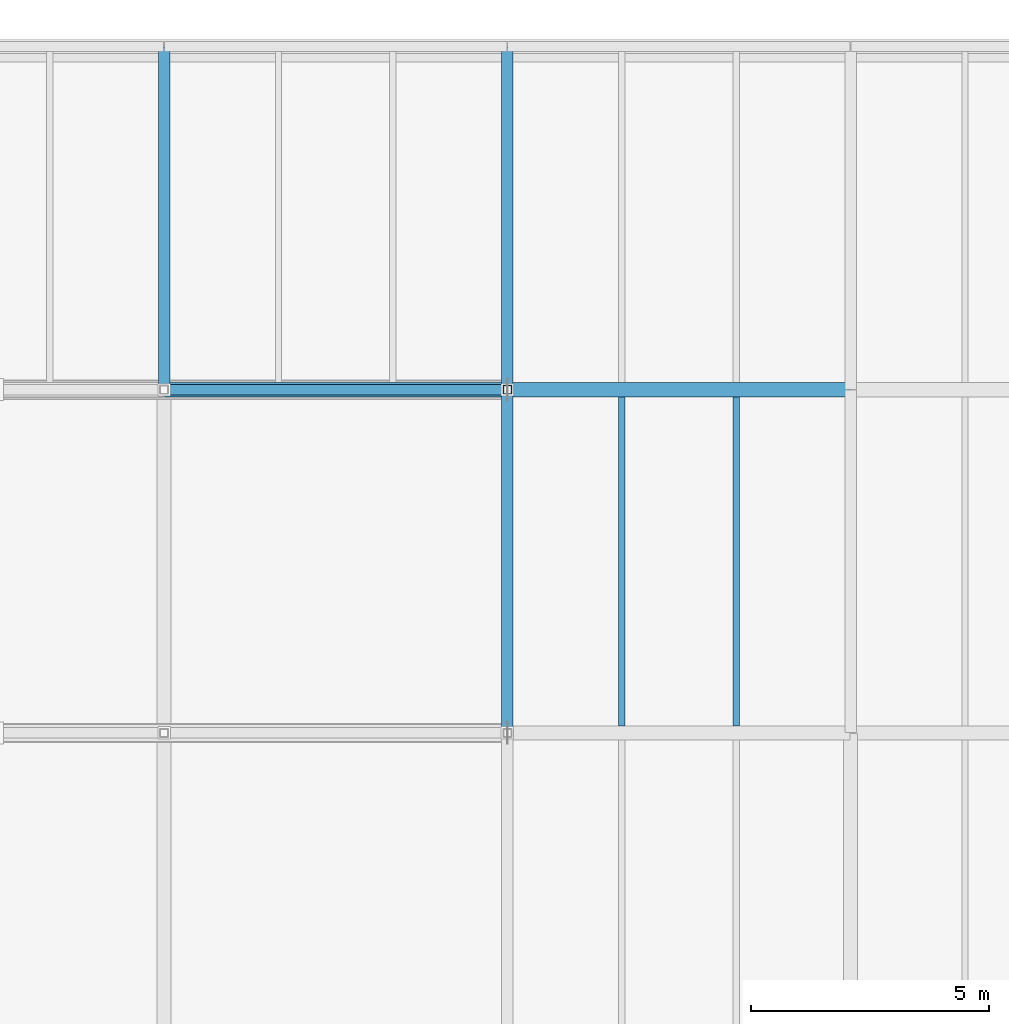
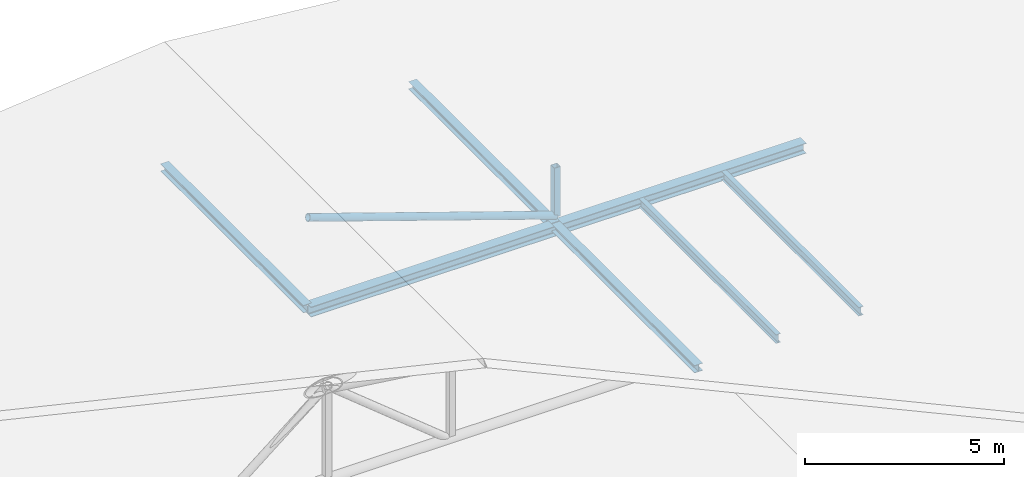
# One storey, part 35 of 91: 7 beams, 2 members.
"""IFC4 building model written with IfcOpenShell, lengths in metres."""

import ifcopenshell
import ifcopenshell.guid

model = None  # the IFC model being written
_history = None  # IfcOwnerHistory: only IFC2X3 demands one
_inside = {}  # id of a spatial element -> (the spatial element, [elements in it])
_under = {}  # id of a project, library or spatial element -> (it, [spatial elements below it])
_declared = {}  # id of a project -> (the project, [libraries it declares])
_typed = {}  # id of a type object -> (the type object, [elements of that type])
_made_of = {}  # id of a material, layer set ... -> (it, [elements and type objects made of it])


def new_model(schema):
    """Start an empty IFC model of exactly this schema.

    Asked for "IFC4X3", IfcOpenShell would pick the latest addendum, in which some entities
    have other attributes; the version numbers below select the first issue.
    IFC2X3 requires an IfcOwnerHistory on every rooted entity: one is made here for all.
    """
    global model, _history
    if schema == "IFC4X3":
        model = ifcopenshell.file(schema_version=(4, 3, 0, 0))
    else:
        model = ifcopenshell.file(schema=schema)
    _inside.clear()
    _under.clear()
    _declared.clear()
    _typed.clear()
    _made_of.clear()
    _history = None
    if model.schema == "IFC2X3":
        org = make("IfcOrganization", Name="unknown")
        user = make(
            "IfcPersonAndOrganization",
            ThePerson=make("IfcPerson", FamilyName="unknown"),
            TheOrganization=org,
        )
        app = make(
            "IfcApplication",
            ApplicationDeveloper=org,
            Version="unknown",
            ApplicationFullName="unknown",
            ApplicationIdentifier="unknown",
        )
        _history = make(
            "IfcOwnerHistory",
            OwningUser=user,
            OwningApplication=app,
            ChangeAction="ADDED",
            CreationDate=0,
        )
    return model


def make(cls, **values):
    """One entity of the class cls with the attributes given. An attribute that is None is left unset."""
    return model.create_entity(
        cls, **{name: value for name, value in values.items() if value is not None}
    )


def rooted(cls, **values):
    """An entity with a GlobalId (a new one), such as an element, a storey or a relation."""
    return make(cls, GlobalId=ifcopenshell.guid.new(), OwnerHistory=_history, **values)


def si_unit(unit_type, name, prefix=None):
    """IfcSIUnit, for example si_unit("LENGTHUNIT", "METRE", prefix="MILLI")."""
    return make("IfcSIUnit", UnitType=unit_type, Prefix=prefix, Name=name)


def assignment(units):
    """IfcUnitAssignment: the units of a project."""
    return None if units is None else make("IfcUnitAssignment", Units=units)


def point(xyz):
    """IfcCartesianPoint."""
    return None if xyz is None else make("IfcCartesianPoint", Coordinates=xyz)


def direction(xyz):
    """IfcDirection."""
    return None if xyz is None else make("IfcDirection", DirectionRatios=xyz)


def frame(location, z_axis=None, x_axis=None):
    """IfcAxis2Placement3D, a coordinate frame: its origin and axes. An axis left out is left unset."""
    return make(
        "IfcAxis2Placement3D",
        Location=point(location),
        Axis=direction(z_axis),
        RefDirection=direction(x_axis),
    )


def frame_2d(location, x_axis=None):
    """IfcAxis2Placement2D, a coordinate frame in the plane: its origin and x axis."""
    return make(
        "IfcAxis2Placement2D", Location=point(location), RefDirection=direction(x_axis)
    )


def origin():
    """The frame at (0, 0, 0) with its axes left unset."""
    return frame((0.0, 0.0, 0.0))


def origin_2d():
    """The frame at (0, 0) in the plane with its x axis left unset."""
    return frame_2d((0.0, 0.0))


def place(relative_to, where):
    """IfcLocalPlacement: puts the frame where relative to a parent placement (None: the world)."""
    return make(
        "IfcLocalPlacement", PlacementRelTo=relative_to, RelativePlacement=where
    )


def context(
    kind, dimensions, precision=None, world=None, true_north=None, identifier=None
):
    """IfcGeometricRepresentationContext, for example the 3D "Model" context."""
    return make(
        "IfcGeometricRepresentationContext",
        ContextIdentifier=identifier,
        ContextType=kind,
        CoordinateSpaceDimension=dimensions,
        Precision=precision,
        WorldCoordinateSystem=world,
        TrueNorth=true_north,
    )


def subcontext(parent, identifier, kind, view, scale=None):
    """IfcGeometricRepresentationSubContext, for example "Body" below "Model"."""
    return make(
        "IfcGeometricRepresentationSubContext",
        ContextIdentifier=identifier,
        ContextType=kind,
        ParentContext=parent,
        TargetScale=scale,
        TargetView=view,
    )


def project(units=None, contexts=None):
    """IfcProject with its units and contexts."""
    return rooted(
        "IfcProject",
        Name="project",
        RepresentationContexts=contexts,
        UnitsInContext=assignment(units),
    )


def spatial(cls, under=None, at=None, **own):
    """A site, building, storey or space (cls), placed at a placement, below another one or the project."""
    s = rooted(cls, ObjectPlacement=at, **own)
    if under is not None:
        _under.setdefault(under.id(), (under, []))[1].append(s)
    return s


def profile(cls, at=None, kind="AREA", **sizes):
    """A parametric profile (cls). Its sizes go by their IFC names, for example OverallWidth=200.0."""
    return make(cls, ProfileType=kind, Position=at, **sizes)


def hollow_rectangle(**sizes):
    """IfcRectangleHollowProfileDef."""
    return profile("IfcRectangleHollowProfileDef", **sizes)


def hollow_circle(**sizes):
    """IfcCircleHollowProfileDef."""
    return profile("IfcCircleHollowProfileDef", **sizes)


def i_section(**sizes):
    """IfcIShapeProfileDef."""
    return profile("IfcIShapeProfileDef", **sizes)


def extrude(swept, where, along, depth):
    """IfcExtrudedAreaSolid: the profile swept, set in the frame where, extruded along a direction by depth."""
    return make(
        "IfcExtrudedAreaSolid",
        SweptArea=swept,
        Position=where,
        ExtrudedDirection=direction(along),
        Depth=depth,
    )


def shape(context_of_items, identifier, shape_type, items):
    """IfcShapeRepresentation: the items that make up one representation, for example the "Body"."""
    return make(
        "IfcShapeRepresentation",
        ContextOfItems=context_of_items,
        RepresentationIdentifier=identifier,
        RepresentationType=shape_type,
        Items=items,
    )


def material(Name=None, Category=None):
    """IfcMaterial."""
    return make("IfcMaterial", Name=Name, Category=Category)


def material_profile(
    of_material, cross_section, Name=None, Category=None, Priority=None
):
    """IfcMaterialProfile: a cross section and its material."""
    return make(
        "IfcMaterialProfile",
        Name=Name,
        Material=of_material,
        Profile=cross_section,
        Priority=Priority,
        Category=Category,
    )


def profile_set(profiles, Name=None, composite=None):
    """IfcMaterialProfileSet."""
    return make(
        "IfcMaterialProfileSet",
        Name=Name,
        MaterialProfiles=profiles,
        CompositeProfile=composite,
    )


def made_of(thing, what):
    """Note that an element or type object is made of a material, layer set ...; save() writes the relation."""
    if what is not None:
        _made_of.setdefault(what.id(), (what, []))[1].append(thing)
    return thing


def type_object(cls, material=None, **own):
    """A type object (cls), such as IfcWallType, which elements share."""
    return made_of(rooted(cls, **own), material)


def element(
    cls,
    number,
    at=None,
    inside=None,
    cuts=None,
    type_object=None,
    material=None,
    context=None,
    identifier="Body",
    shape_type=None,
    held_by="IfcProductDefinitionShape",
    body=None,
    shapes=None,
    **own,
):
    """One element of the class cls, such as IfcWall. Its Tag is "e" and its number.

    at: its placement. inside: the storey or other place that contains it. cuts: it is an
    opening in that element (IfcRelVoidsElement). A single representation is given by context,
    identifier, shape_type and body (its items); several are given by shapes. held_by: the class
    of the entity that holds the representations. save() writes the other relations.
    """
    e = rooted(cls, Tag="e%d" % number, ObjectPlacement=at, **own)
    if body is not None:
        shapes = [shape(context, identifier, shape_type, body)]
    if shapes is not None:
        e.Representation = make(held_by, Representations=shapes)
    if inside is not None:
        _inside.setdefault(inside.id(), (inside, []))[1].append(e)
    if cuts is not None:
        rooted(
            "IfcRelVoidsElement", RelatingBuildingElement=cuts, RelatedOpeningElement=e
        )
    if type_object is not None:
        _typed.setdefault(type_object.id(), (type_object, []))[1].append(e)
    return made_of(e, material)


def aggregate(whole, parts):
    """IfcRelAggregates: a whole, such as a stair, and the parts it consists of."""
    return rooted("IfcRelAggregates", RelatingObject=whole, RelatedObjects=parts)


def save(model, path):
    """Write the relations noted so far, then the file.

    IfcRelAggregates (storeys below a building ...), IfcRelContainedInSpatialStructure (elements
    in a storey), IfcRelDefinesByType, IfcRelAssociatesMaterial and IfcRelDeclares: one each for
    every whole, place, type object, material and project.
    """
    for whole, parts in _under.values():
        aggregate(whole, parts)
    for where, things in _inside.values():
        rooted(
            "IfcRelContainedInSpatialStructure",
            RelatedElements=things,
            RelatingStructure=where,
        )
    for kind, things in _typed.values():
        rooted("IfcRelDefinesByType", RelatedObjects=things, RelatingType=kind)
    for what, things in _made_of.values():
        rooted("IfcRelAssociatesMaterial", RelatedObjects=things, RelatingMaterial=what)
    for by, libraries in _declared.values():
        rooted("IfcRelDeclares", RelatingContext=by, RelatedDefinitions=libraries)
    model.write(path)


model = new_model("IFC4")

# Units and contexts
model_context = context("Model", 3, precision=1e-05, world=origin(), true_north=direction((0.0, 1.0)))
body_context = subcontext(model_context, "Body", "Model", "MODEL_VIEW")
ifc_project = project(units=[si_unit("LENGTHUNIT", "METRE"), si_unit("AREAUNIT", "SQUARE_METRE"), si_unit("VOLUMEUNIT", "CUBIC_METRE"), si_unit("PLANEANGLEUNIT", "RADIAN"), si_unit("MASSUNIT", "GRAM", prefix="KILO")], contexts=[model_context])

# Site, building, storey
site_placement = place(None, origin())
site = spatial("IfcSite", under=ifc_project, at=site_placement, CompositionType="ELEMENT")
building_placement = place(site_placement, origin())
building = spatial("IfcBuilding", under=site, at=building_placement, Name="Narikvali Park Central Library", CompositionType="ELEMENT")
storey_placement = place(building_placement, frame((0.0, 0.0, 14.39990234375)))
storey = spatial("IfcBuildingStorey", under=building, at=storey_placement, Name="L03", CompositionType="ELEMENT", Elevation=14.39990234375)

# Members
ifc_material = material(Name="Steel S355", Category="steel")
ifc_material_profile_1 = material_profile(ifc_material, hollow_circle(Radius=0.109619140625, WallThickness=0.012451171875, at=origin_2d()), Name="CHS 219.1x12.5")
ifc_profile_set_1 = profile_set([ifc_material_profile_1], Name="Steel S355")
member_type_1 = type_object("IfcMemberType", Name="Auditorium End Truss Web CHS219x12", PredefinedType="BRACE", material=ifc_profile_set_1)
member_1_placement = place(storey_placement, frame((151.199951171875, 108.0, -0.02001953125), z_axis=(-0.946684072105, 0.0, 0.322163417573), x_axis=(0.0, -1.0, 0.0)))
element("IfcMember", 1, at=member_1_placement, inside=storey, type_object=member_type_1, Name="Auditorium Truss 4 Web Diagonal 3", PredefinedType="BRACE", context=body_context, shape_type="SweptSolid", body=[
    extrude(hollow_circle(Radius=0.109619140625, WallThickness=0.012451171875, at=origin_2d()), origin(), (0.0, 0.0, 1.0), 7.60546875),
])
ifc_material_profile_2 = material_profile(ifc_material, hollow_rectangle(XDim=0.179931640625, YDim=0.179931640625, WallThickness=0.010009765625, at=origin_2d()), Name="SHS 180x180x10")
ifc_profile_set_2 = profile_set([ifc_material_profile_2], Name="Steel S355")
member_type_2 = type_object("IfcMemberType", Name="Auditorium Truss Vertical SHS180", PredefinedType="COLLAR", material=ifc_profile_set_2)
member_2_placement = place(storey_placement, frame((151.199951171875, 108.0, -0.02001953125), z_axis=(0.0, 0.0, 1.0), x_axis=(1.0, 0.0, 0.0)))
element("IfcMember", 2, at=member_2_placement, inside=storey, type_object=member_type_2, Name="Auditorium Truss 4 Vertical 5", PredefinedType="COLLAR", context=body_context, shape_type="SweptSolid", body=[
    extrude(hollow_rectangle(XDim=0.179931640625, YDim=0.179931640625, WallThickness=0.010009765625, at=origin_2d()), origin(), (0.0, 0.0, 1.0), 1.52001953125),
])

# Beams
ifc_material_profile_3 = material_profile(ifc_material, i_section(OverallWidth=0.135009765625, OverallDepth=0.27001953125, WebThickness=0.006591796875, FlangeThickness=0.01025390625, FilletRadius=0.014892578125, at=origin_2d()), Name="IPE 270")
ifc_profile_set_3 = profile_set([ifc_material_profile_3], Name="Steel S355")
beam_type_1 = type_object("IfcBeamType", Name="Composite Floor Joist IPE270", PredefinedType="JOIST", material=ifc_profile_set_3)
for number, where, z_axis, x_axis, name in (
    (3, (153.60009765625, 100.949951171875, -0.375), (0.0, 1.0, 0.0), (-1.0, 0.0, 0.0), "V3 L03 Composite Joist 1"),
    (4, (156.0, 100.949951171875, -0.375), (0.0, 1.0, 0.0), (-1.0, 0.0, 0.0), "V3 L03 Composite Joist 2"),
):
    element("IfcBeam", number, at=place(storey_placement, frame(where, z_axis=z_axis, x_axis=x_axis)), inside=storey, type_object=beam_type_1, Name=name, PredefinedType="JOIST", context=body_context, shape_type="SweptSolid", body=[
        extrude(i_section(OverallWidth=0.135009765625, OverallDepth=0.27001953125, WebThickness=0.006591796875, FlangeThickness=0.01025390625, FilletRadius=0.014892578125, at=origin_2d()), origin(), (0.0, 0.0, 1.0), 6.900146484375),
    ])
ifc_material_profile_4 = material_profile(ifc_material, i_section(OverallWidth=0.239990234375, OverallDepth=0.22998046875, WebThickness=0.007568359375, FlangeThickness=0.011962890625, FilletRadius=0.02099609375, at=origin_2d()), Name="HEA 240")
ifc_profile_set_4 = profile_set([ifc_material_profile_4], Name="Steel S355")
beam_type_2 = type_object("IfcBeamType", Name="Primary Girder HEA240", PredefinedType="BEAM", material=ifc_profile_set_4)
for number, where, z_axis, x_axis, name in (
    (5, (144.0, 108.008056640625, -0.35498046875), (0.0, 1.0, 0.0), (-1.0, 0.0, 0.0), "V3 L03 Girder Y"),
    (6, (151.199951171875, 100.80810546875, -0.35498046875), (0.0, 1.0, 0.0), (-1.0, 0.0, 0.0), "V3 L03 Girder Y"),
    (7, (151.199951171875, 108.008056640625, -0.35498046875), (0.0, 1.0, 0.0), (-1.0, 0.0, 0.0), "V3 L03 Girder Y"),
):
    element("IfcBeam", number, at=place(storey_placement, frame(where, z_axis=z_axis, x_axis=x_axis)), inside=storey, type_object=beam_type_2, Name=name, PredefinedType="BEAM", context=body_context, shape_type="SweptSolid", body=[
        extrude(i_section(OverallWidth=0.239990234375, OverallDepth=0.22998046875, WebThickness=0.007568359375, FlangeThickness=0.011962890625, FilletRadius=0.02099609375, at=origin_2d()), origin(), (0.0, 0.0, 1.0), 7.183837890625),
    ])
ifc_material_profile_5 = material_profile(ifc_material, i_section(OverallWidth=0.300048828125, OverallDepth=0.31005859375, WebThickness=0.009033203125, FlangeThickness=0.015380859375, FilletRadius=0.027099609375, at=origin_2d()), Name="HEA 320")
ifc_profile_set_5 = profile_set([ifc_material_profile_5], Name="Steel S355")
beam_type_3 = type_object("IfcBeamType", Name="Primary Girder HEA320", PredefinedType="BEAM", material=ifc_profile_set_5)
beam_1_placement = place(storey_placement, frame((144.008056640625, 108.0, -0.39501953125), z_axis=(1.0, 0.0, 0.0), x_axis=(0.0, 1.0, 0.0)))
element("IfcBeam", 8, at=beam_1_placement, inside=storey, type_object=beam_type_3, Name="V3 L03 Girder X", PredefinedType="BEAM", context=body_context, shape_type="SweptSolid", body=[
    extrude(i_section(OverallWidth=0.300048828125, OverallDepth=0.31005859375, WebThickness=0.009033203125, FlangeThickness=0.015380859375, FilletRadius=0.027099609375, at=origin_2d()), origin(), (0.0, 0.0, 1.0), 7.183837890625),
])
beam_2_placement = place(storey_placement, frame((151.2080078125, 108.0, -0.39501953125), z_axis=(1.0, 0.0, 0.0), x_axis=(0.0, 1.0, 0.0)))
element("IfcBeam", 9, at=beam_2_placement, inside=storey, type_object=beam_type_3, Name="V3 L03 Girder X", PredefinedType="BEAM", context=body_context, shape_type="SweptSolid", body=[
    extrude(i_section(OverallWidth=0.300048828125, OverallDepth=0.31005859375, WebThickness=0.009033203125, FlangeThickness=0.015380859375, FilletRadius=0.027099609375, at=origin_2d()), origin(), (0.0, 0.0, 1.0), 7.18408203125),
])

save(model, "model.ifc")
